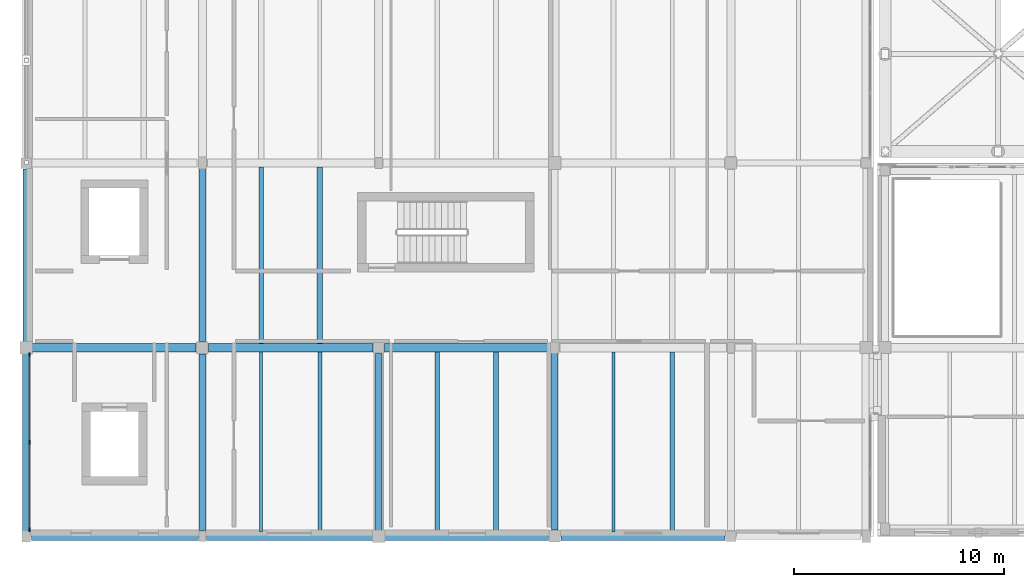
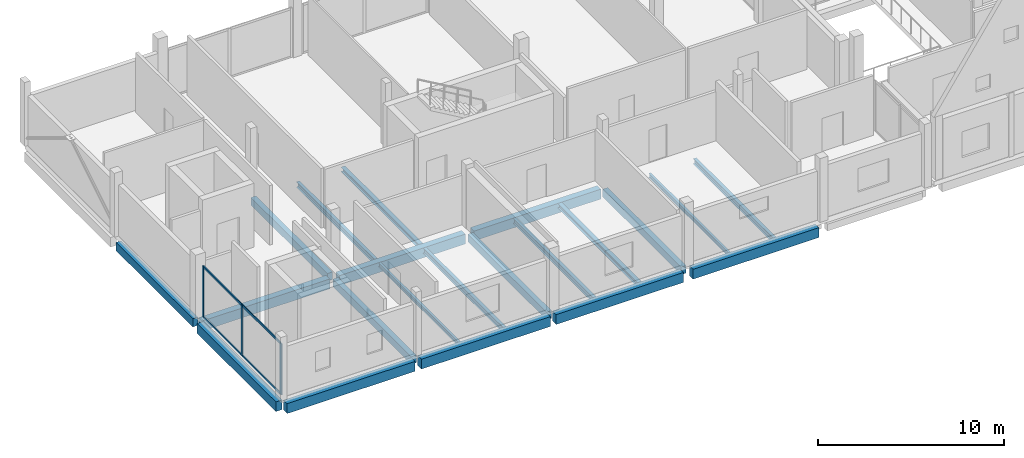
# One storey, part 4 of 41: 21 beams, 7 members, 1 element without a shape of its own.
"""IFC4 building model written with IfcOpenShell, lengths in metres."""

from ifc_helpers import new_model, si_unit, direction, frame, origin, origin_2d, place, context, subcontext, project, spatial, rectangle, i_section, extrude, material, layer, layer_set, material_profile, profile_set, type_object, element, aggregate, save


model = new_model("IFC4")

# Units and contexts
model_context = context("Model", 3, precision=1e-05, world=origin(), true_north=direction((0.0, 1.0)))
body_context = subcontext(model_context, "Body", "Model", "MODEL_VIEW")
ifc_project = project(units=[si_unit("LENGTHUNIT", "METRE"), si_unit("AREAUNIT", "SQUARE_METRE"), si_unit("VOLUMEUNIT", "CUBIC_METRE"), si_unit("PLANEANGLEUNIT", "RADIAN"), si_unit("MASSUNIT", "GRAM", prefix="KILO")], contexts=[model_context])

# Site, building, storey
site_placement = place(None, origin())
site = spatial("IfcSite", under=ifc_project, at=site_placement, CompositionType="ELEMENT")
building_placement = place(site_placement, origin())
building = spatial("IfcBuilding", under=site, at=building_placement, Name="Birchvale Park Specialist Clinic", CompositionType="ELEMENT")
storey_placement = place(building_placement, frame((0.0, 0.0, 9.60009765625)))
storey = spatial("IfcBuildingStorey", under=building, at=storey_placement, Name="L02", CompositionType="ELEMENT", Elevation=9.60009765625)

# Beams
ifc_material_1 = material(Name="Concrete C40/50", Category="concrete")
ifc_material_profile_1 = material_profile(ifc_material_1, rectangle(XDim=0.3798828125, YDim=0.639892578125, at=origin_2d()), Name="RCB-380x640")
ifc_profile_set_1 = profile_set([ifc_material_profile_1], Name="Concrete C40/50")
beam_type_1 = type_object("IfcBeamType", Name="BM-EXT-BG5", PredefinedType="BEAM", material=ifc_profile_set_1)
beam_1_placement = place(storey_placement, frame((11.199951171875, 17.050048828125, -0.670166015625), z_axis=(0.0, 1.0, 0.0), x_axis=(-1.0, 0.0, 0.0)))
element("IfcBeam", 1, at=beam_1_placement, inside=storey, type_object=beam_type_1, Name="V2 L02 Y girder 21", PredefinedType="BEAM", context=body_context, shape_type="SweptSolid", body=[
    extrude(rectangle(XDim=0.3798828125, YDim=0.639892578125, at=origin_2d()), origin(), (0.0, 0.0, 1.0), 8.5),
])
ifc_material_profile_2 = material_profile(ifc_material_1, rectangle(XDim=0.320068359375, YDim=0.5400390625, at=origin_2d()), Name="RCB-320x540")
ifc_profile_set_2 = profile_set([ifc_material_profile_2], Name="Concrete C40/50")
beam_type_2 = type_object("IfcBeamType", Name="BM-EXT-BG7", PredefinedType="BEAM", material=ifc_profile_set_2)
beam_2_placement = place(storey_placement, frame((11.199951171875, 26.050048828125, -0.6201171875), z_axis=(0.0, 1.0, 0.0), x_axis=(-1.0, 0.0, 0.0)))
element("IfcBeam", 2, at=beam_2_placement, inside=storey, type_object=beam_type_2, Name="V2 L02 Y girder 22", PredefinedType="BEAM", context=body_context, shape_type="SweptSolid", body=[
    extrude(rectangle(XDim=0.320068359375, YDim=0.5400390625, at=origin_2d()), origin(), (0.0, 0.0, 1.0), 8.27490234375),
])
ifc_material_profile_3 = material_profile(ifc_material_1, rectangle(XDim=0.39990234375, YDim=0.64990234375, at=origin_2d()), Name="RCB-400x650")
ifc_profile_set_3 = profile_set([ifc_material_profile_3], Name="Concrete C40/50")
beam_type_3 = type_object("IfcBeamType", Name="BM-INT-BG4", PredefinedType="BEAM", material=ifc_profile_set_3)
beam_3_placement = place(storey_placement, frame((11.449951171875, 16.800048828125, -0.675048828125), z_axis=(1.0, 0.0, 0.0), x_axis=(0.0, 1.0, 0.0)))
element("IfcBeam", 3, at=beam_3_placement, inside=storey, type_object=beam_type_3, Name="V2 L02 X girder 1", PredefinedType="BEAM", context=body_context, shape_type="SweptSolid", body=[
    extrude(rectangle(XDim=0.39990234375, YDim=0.64990234375, at=origin_2d()), origin(), (0.0, 0.0, 1.0), 7.949951171875),
])
beam_4_placement = place(storey_placement, frame((19.800048828125, 16.800048828125, -0.675048828125), z_axis=(1.0, 0.0, 0.0), x_axis=(0.0, 1.0, 0.0)))
element("IfcBeam", 4, at=beam_4_placement, inside=storey, type_object=beam_type_3, Name="V2 L02 X girder 2", PredefinedType="BEAM", context=body_context, shape_type="SweptSolid", body=[
    extrude(rectangle(XDim=0.39990234375, YDim=0.64990234375, at=origin_2d()), origin(), (0.0, 0.0, 1.0), 8.02490234375),
])
beam_5_placement = place(storey_placement, frame((28.175048828125, 16.800048828125, -0.675048828125), z_axis=(1.0, 0.0, 0.0), x_axis=(0.0, 1.0, 0.0)))
element("IfcBeam", 5, at=beam_5_placement, inside=storey, type_object=beam_type_3, Name="V2 L02 X girder 3", PredefinedType="BEAM", context=body_context, shape_type="SweptSolid", body=[
    extrude(rectangle(XDim=0.39990234375, YDim=0.64990234375, at=origin_2d()), origin(), (0.0, 0.0, 1.0), 7.925048828125),
])
beam_6_placement = place(storey_placement, frame((36.699951171875, 16.800048828125, -0.675048828125), z_axis=(1.0, 0.0, 0.0), x_axis=(0.0, 1.0, 0.0)))
element("IfcBeam", 6, at=beam_6_placement, inside=storey, type_object=beam_type_3, Name="V2 L02 X girder 4", PredefinedType="BEAM", context=body_context, shape_type="SweptSolid", body=[
    extrude(rectangle(XDim=0.39990234375, YDim=0.64990234375, at=origin_2d()), origin(), (0.0, 0.0, 1.0), 7.824951171875),
])
beam_7_placement = place(storey_placement, frame((11.375, 25.800048828125, -0.675048828125), z_axis=(1.0, 0.0, 0.0), x_axis=(0.0, 1.0, 0.0)))
element("IfcBeam", 7, at=beam_7_placement, inside=storey, type_object=beam_type_3, Name="V2 L02 X girder 6", PredefinedType="BEAM", context=body_context, shape_type="SweptSolid", body=[
    extrude(rectangle(XDim=0.39990234375, YDim=0.64990234375, at=origin_2d()), origin(), (0.0, 0.0, 1.0), 7.925048828125),
])
beam_8_placement = place(storey_placement, frame((19.89990234375, 25.800048828125, -0.675048828125), z_axis=(1.0, 0.0, 0.0), x_axis=(0.0, 1.0, 0.0)))
element("IfcBeam", 8, at=beam_8_placement, inside=storey, type_object=beam_type_3, Name="V2 L02 X girder 7", PredefinedType="BEAM", context=body_context, shape_type="SweptSolid", body=[
    extrude(rectangle(XDim=0.39990234375, YDim=0.64990234375, at=origin_2d()), origin(), (0.0, 0.0, 1.0), 7.8251953125),
])
beam_9_placement = place(storey_placement, frame((28.27490234375, 25.800048828125, -0.675048828125), z_axis=(1.0, 0.0, 0.0), x_axis=(0.0, 1.0, 0.0)))
element("IfcBeam", 9, at=beam_9_placement, inside=storey, type_object=beam_type_3, Name="V2 L02 X girder 8", PredefinedType="BEAM", context=body_context, shape_type="SweptSolid", body=[
    extrude(rectangle(XDim=0.39990234375, YDim=0.64990234375, at=origin_2d()), origin(), (0.0, 0.0, 1.0), 7.875),
])
ifc_material_profile_4 = material_profile(ifc_material_1, rectangle(XDim=0.320068359375, YDim=0.5, at=origin_2d()), Name="RCB-320x500")
ifc_profile_set_4 = profile_set([ifc_material_profile_4], Name="Concrete C40/50")
beam_type_4 = type_object("IfcBeamType", Name="BM-INT-BG7", PredefinedType="BEAM", material=ifc_profile_set_4)
beam_10_placement = place(storey_placement, frame((19.60009765625, 17.074951171875, -0.60009765625), z_axis=(0.0, 1.0, 0.0), x_axis=(-1.0, 0.0, 0.0)))
element("IfcBeam", 10, at=beam_10_placement, inside=storey, type_object=beam_type_4, Name="V2 L02 Y girder 24", PredefinedType="BEAM", context=body_context, shape_type="SweptSolid", body=[
    extrude(rectangle(XDim=0.320068359375, YDim=0.5, at=origin_2d()), origin(), (0.0, 0.0, 1.0), 8.425048828125),
])
beam_11_placement = place(storey_placement, frame((19.60009765625, 26.10009765625, -0.60009765625), z_axis=(0.0, 1.0, 0.0), x_axis=(-1.0, 0.0, 0.0)))
element("IfcBeam", 11, at=beam_11_placement, inside=storey, type_object=beam_type_4, Name="V2 L02 Y girder 25", PredefinedType="BEAM", context=body_context, shape_type="SweptSolid", body=[
    extrude(rectangle(XDim=0.320068359375, YDim=0.5, at=origin_2d()), origin(), (0.0, 0.0, 1.0), 8.25),
])
beam_12_placement = place(storey_placement, frame((28.0, 17.050048828125, -0.60009765625), z_axis=(0.0, 1.0, 0.0), x_axis=(-1.0, 0.0, 0.0)))
element("IfcBeam", 12, at=beam_12_placement, inside=storey, type_object=beam_type_4, Name="V2 L02 Y girder 27", PredefinedType="BEAM", context=body_context, shape_type="SweptSolid", body=[
    extrude(rectangle(XDim=0.320068359375, YDim=0.5, at=origin_2d()), origin(), (0.0, 0.0, 1.0), 8.474853515625),
])
beam_13_placement = place(storey_placement, frame((36.39990234375, 17.10009765625, -0.60009765625), z_axis=(0.0, 1.0, 0.0), x_axis=(-1.0, 0.0, 0.0)))
element("IfcBeam", 13, at=beam_13_placement, inside=storey, type_object=beam_type_4, Name="V2 L02 Y girder 29", PredefinedType="BEAM", context=body_context, shape_type="SweptSolid", body=[
    extrude(rectangle(XDim=0.320068359375, YDim=0.5, at=origin_2d()), origin(), (0.0, 0.0, 1.0), 8.449951171875),
])

# Curtain wall, members
ifc_material_2 = material(Name="Thermally broken anodised aluminium", Category="aluminium")
ifc_layer = layer(ifc_material_2, 0.195068359375)
ifc_layer_set = layer_set([ifc_layer], Name="Thermally broken anodised aluminium")
curtain_wall_type = type_object("IfcCurtainWallType", Name="CW-U2", PredefinedType="USERDEFINED", material=ifc_layer_set)
curtain_wall_placement = place(storey_placement, origin())
curtain_wall = element("IfcCurtainWall", 14, at=curtain_wall_placement, inside=storey, type_object=curtain_wall_type, Name="V2 L02 glazed curtain wall 108", ObjectType="UNITISED", PredefinedType="USERDEFINED")
ifc_material_profile_5 = material_profile(ifc_material_2, rectangle(XDim=0.06494140625, YDim=0.179931640625, at=origin_2d()), Name="CWM-65x180")
ifc_profile_set_5 = profile_set([ifc_material_profile_5], Name="Thermally broken anodised aluminium")
member_type_1 = type_object("IfcMemberType", Name="CWM2", PredefinedType="MULLION", material=ifc_profile_set_5)
member_1_placement = place(storey_placement, frame((11.35498046875, 25.467529296875, 0.0), z_axis=(0.0, 0.0, 1.0), x_axis=(1.0, 0.0, 0.0)))
member_1 = element("IfcMember", 15, at=member_1_placement, type_object=member_type_1, Name="CW mullion 1", PredefinedType="MULLION", context=body_context, shape_type="SweptSolid", body=[
    extrude(rectangle(XDim=0.06494140625, YDim=0.179931640625, at=origin_2d()), origin(), (0.0, 0.0, 1.0), 3.364990234375),
])
member_2_placement = place(storey_placement, frame((11.35498046875, 21.28759765625, 0.0), z_axis=(0.0, 0.0, 1.0), x_axis=(1.0, 0.0, 0.0)))
member_2 = element("IfcMember", 16, at=member_2_placement, type_object=member_type_1, Name="CW mullion 2", PredefinedType="MULLION", context=body_context, shape_type="SweptSolid", body=[
    extrude(rectangle(XDim=0.06494140625, YDim=0.179931640625, at=origin_2d()), origin(), (0.0, 0.0, 1.0), 3.364990234375),
])
member_3_placement = place(storey_placement, frame((11.35498046875, 17.107421875, 0.0), z_axis=(0.0, 0.0, 1.0), x_axis=(1.0, 0.0, 0.0)))
member_3 = element("IfcMember", 17, at=member_3_placement, type_object=member_type_1, Name="CW mullion 3", PredefinedType="MULLION", context=body_context, shape_type="SweptSolid", body=[
    extrude(rectangle(XDim=0.06494140625, YDim=0.179931640625, at=origin_2d()), origin(), (0.0, 0.0, 1.0), 3.364990234375),
])
ifc_material_profile_6 = material_profile(ifc_material_2, rectangle(XDim=0.06494140625, YDim=0.139892578125, at=origin_2d()), Name="CWT-65x140")
ifc_profile_set_6 = profile_set([ifc_material_profile_6], Name="Thermally broken anodised aluminium")
member_type_2 = type_object("IfcMemberType", Name="CWT2", PredefinedType="USERDEFINED", material=ifc_profile_set_6)
member_4_placement = place(storey_placement, frame((11.35498046875, 25.43505859375, 0.032470703125), z_axis=(0.0, -1.0, 0.0), x_axis=(1.0, 0.0, 0.0)))
member_4 = element("IfcMember", 18, at=member_4_placement, type_object=member_type_2, Name="CW transom 1.1", ObjectType="TRANSOM", PredefinedType="USERDEFINED", context=body_context, shape_type="SweptSolid", body=[
    extrude(rectangle(XDim=0.06494140625, YDim=0.139892578125, at=origin_2d()), origin(), (0.0, 0.0, 1.0), 4.114990234375),
])
member_5_placement = place(storey_placement, frame((11.35498046875, 25.43505859375, 3.33251953125), z_axis=(0.0, -1.0, 0.0), x_axis=(1.0, 0.0, 0.0)))
member_5 = element("IfcMember", 19, at=member_5_placement, type_object=member_type_2, Name="CW transom 1.2", ObjectType="TRANSOM", PredefinedType="USERDEFINED", context=body_context, shape_type="SweptSolid", body=[
    extrude(rectangle(XDim=0.06494140625, YDim=0.139892578125, at=origin_2d()), origin(), (0.0, 0.0, 1.0), 4.114990234375),
])
member_6_placement = place(storey_placement, frame((11.35498046875, 21.2548828125, 0.032470703125), z_axis=(0.0, -1.0, 0.0), x_axis=(1.0, 0.0, 0.0)))
member_6 = element("IfcMember", 20, at=member_6_placement, type_object=member_type_2, Name="CW transom 2.1", ObjectType="TRANSOM", PredefinedType="USERDEFINED", context=body_context, shape_type="SweptSolid", body=[
    extrude(rectangle(XDim=0.06494140625, YDim=0.139892578125, at=origin_2d()), origin(), (0.0, 0.0, 1.0), 4.114990234375),
])
member_7_placement = place(storey_placement, frame((11.35498046875, 21.2548828125, 3.33251953125), z_axis=(0.0, -1.0, 0.0), x_axis=(1.0, 0.0, 0.0)))
member_7 = element("IfcMember", 21, at=member_7_placement, type_object=member_type_2, Name="CW transom 2.2", ObjectType="TRANSOM", PredefinedType="USERDEFINED", context=body_context, shape_type="SweptSolid", body=[
    extrude(rectangle(XDim=0.06494140625, YDim=0.139892578125, at=origin_2d()), origin(), (0.0, 0.0, 1.0), 4.114990234375),
])
aggregate(curtain_wall, [member_1, member_2, member_3, member_4, member_5, member_6, member_7])

# Beams
ifc_material_3 = material(Name="Steel ASTM A992 Grade 50", Category="steel")
ifc_material_profile_7 = material_profile(ifc_material_3, i_section(OverallWidth=0.2041015625, OverallDepth=0.35107421875, WebThickness=0.008544921875, FlangeThickness=0.01513671875, at=origin_2d()), Name="W14X48")
ifc_profile_set_7 = profile_set([ifc_material_profile_7], Name="Steel ASTM A992 Grade 50")
beam_type_5 = type_object("IfcBeamType", Name="STL-INT-SJ1", PredefinedType="JOIST", material=ifc_profile_set_7)
beam_14_placement = place(storey_placement, frame((25.199951171875, 17.0, -0.525634765625), z_axis=(0.0, 1.0, 0.0), x_axis=(-1.0, 0.0, 0.0)))
element("IfcBeam", 22, at=beam_14_placement, inside=storey, type_object=beam_type_5, Name="V2 L02 secondary floor joist 4", PredefinedType="JOIST", context=body_context, shape_type="SweptSolid", body=[
    extrude(i_section(OverallWidth=0.2041015625, OverallDepth=0.35107421875, WebThickness=0.008544921875, FlangeThickness=0.01513671875, at=origin_2d()), origin(), (0.0, 0.0, 1.0), 8.60009765625),
])
beam_15_placement = place(storey_placement, frame((22.39990234375, 26.0, -0.525634765625), z_axis=(0.0, 1.0, 0.0), x_axis=(-1.0, 0.0, 0.0)))
element("IfcBeam", 23, at=beam_15_placement, inside=storey, type_object=beam_type_5, Name="V2 L02 secondary floor joist 5", PredefinedType="JOIST", context=body_context, shape_type="SweptSolid", body=[
    extrude(i_section(OverallWidth=0.2041015625, OverallDepth=0.35107421875, WebThickness=0.008544921875, FlangeThickness=0.01513671875, at=origin_2d()), origin(), (0.0, 0.0, 1.0), 8.39990234375),
])
for number, where, z_axis, x_axis, name in (
    (24, (30.800048828125, 17.0, -0.525634765625), (0.0, 1.0, 0.0), (-1.0, 0.0, 0.0), "V2 L02 secondary floor joist 9"),
    (25, (42.0, 17.0, -0.525634765625), (0.0, 1.0, 0.0), (-1.0, 0.0, 0.0), "V2 L02 secondary floor joist 14"),
):
    element("IfcBeam", number, at=place(storey_placement, frame(where, z_axis=z_axis, x_axis=x_axis)), inside=storey, type_object=beam_type_5, Name=name, PredefinedType="JOIST", context=body_context, shape_type="SweptSolid", body=[
        extrude(i_section(OverallWidth=0.2041015625, OverallDepth=0.35107421875, WebThickness=0.008544921875, FlangeThickness=0.01513671875, at=origin_2d()), origin(), (0.0, 0.0, 1.0), 8.60009765625),
    ])
ifc_material_profile_8 = material_profile(ifc_material_3, i_section(OverallWidth=0.25390625, OverallDepth=0.305908203125, WebThickness=0.0087890625, FlangeThickness=0.0146484375, at=origin_2d()), Name="W12X53")
ifc_profile_set_8 = profile_set([ifc_material_profile_8], Name="Steel ASTM A992 Grade 50")
beam_type_6 = type_object("IfcBeamType", Name="STL-INT-SJ2", PredefinedType="JOIST", material=ifc_profile_set_8)
beam_16_placement = place(storey_placement, frame((25.199951171875, 26.0, -0.503173828125), z_axis=(0.0, 1.0, 0.0), x_axis=(-1.0, 0.0, 0.0)))
element("IfcBeam", 26, at=beam_16_placement, inside=storey, type_object=beam_type_6, Name="V2 L02 secondary floor joist 6", PredefinedType="JOIST", context=body_context, shape_type="SweptSolid", body=[
    extrude(i_section(OverallWidth=0.25390625, OverallDepth=0.305908203125, WebThickness=0.0087890625, FlangeThickness=0.0146484375, at=origin_2d()), origin(), (0.0, 0.0, 1.0), 8.39990234375),
])
beam_17_placement = place(storey_placement, frame((33.60009765625, 17.0, -0.503173828125), z_axis=(0.0, 1.0, 0.0), x_axis=(-1.0, 0.0, 0.0)))
element("IfcBeam", 27, at=beam_17_placement, inside=storey, type_object=beam_type_6, Name="V2 L02 secondary floor joist 10", PredefinedType="JOIST", context=body_context, shape_type="SweptSolid", body=[
    extrude(i_section(OverallWidth=0.25390625, OverallDepth=0.305908203125, WebThickness=0.0087890625, FlangeThickness=0.0146484375, at=origin_2d()), origin(), (0.0, 0.0, 1.0), 8.60009765625),
])
ifc_material_profile_9 = material_profile(ifc_material_3, i_section(OverallWidth=0.14697265625, OverallDepth=0.261962890625, WebThickness=0.006591796875, FlangeThickness=0.01123046875, at=origin_2d()), Name="W10X26")
ifc_profile_set_9 = profile_set([ifc_material_profile_9], Name="Steel ASTM A992 Grade 50")
beam_type_7 = type_object("IfcBeamType", Name="STL-INT-SJ5", PredefinedType="JOIST", material=ifc_profile_set_9)
for number, where, z_axis, x_axis, name in (
    (28, (22.39990234375, 17.0, -0.481201171875), (0.0, 1.0, 0.0), (-1.0, 0.0, 0.0), "V2 L02 secondary floor joist 3"),
    (29, (39.199951171875, 17.0, -0.481201171875), (0.0, 1.0, 0.0), (-1.0, 0.0, 0.0), "V2 L02 secondary floor joist 13"),
):
    element("IfcBeam", number, at=place(storey_placement, frame(where, z_axis=z_axis, x_axis=x_axis)), inside=storey, type_object=beam_type_7, Name=name, PredefinedType="JOIST", context=body_context, shape_type="SweptSolid", body=[
        extrude(i_section(OverallWidth=0.14697265625, OverallDepth=0.261962890625, WebThickness=0.006591796875, FlangeThickness=0.01123046875, at=origin_2d()), origin(), (0.0, 0.0, 1.0), 8.60009765625),
    ])

save(model, "model.ifc")
